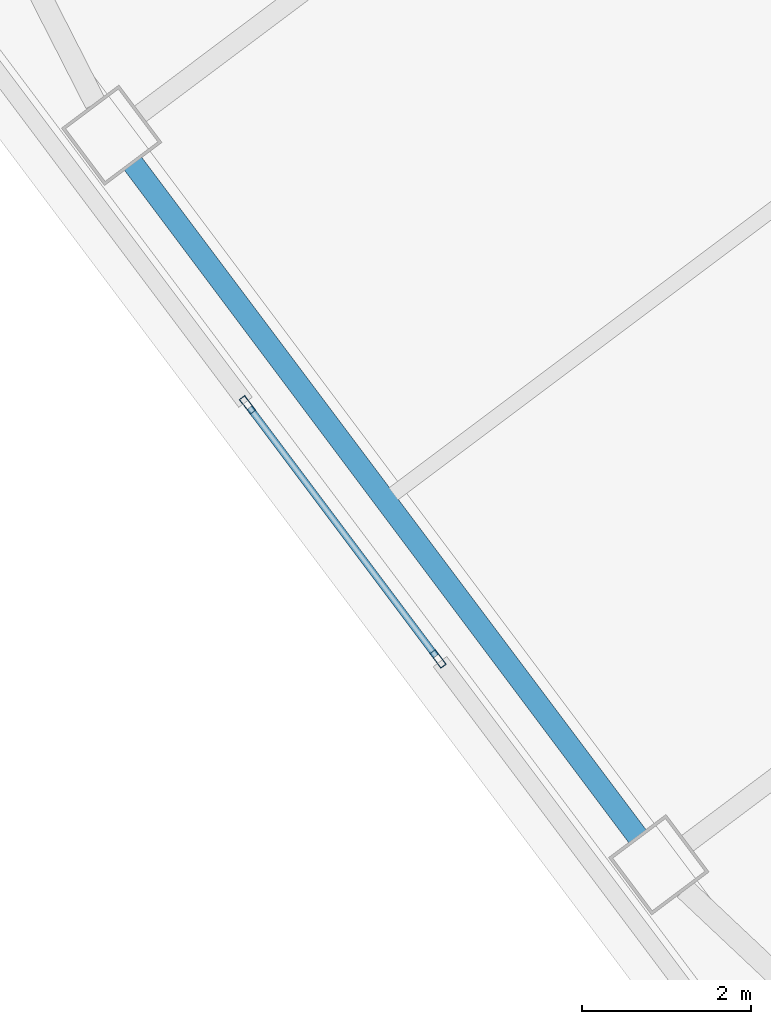
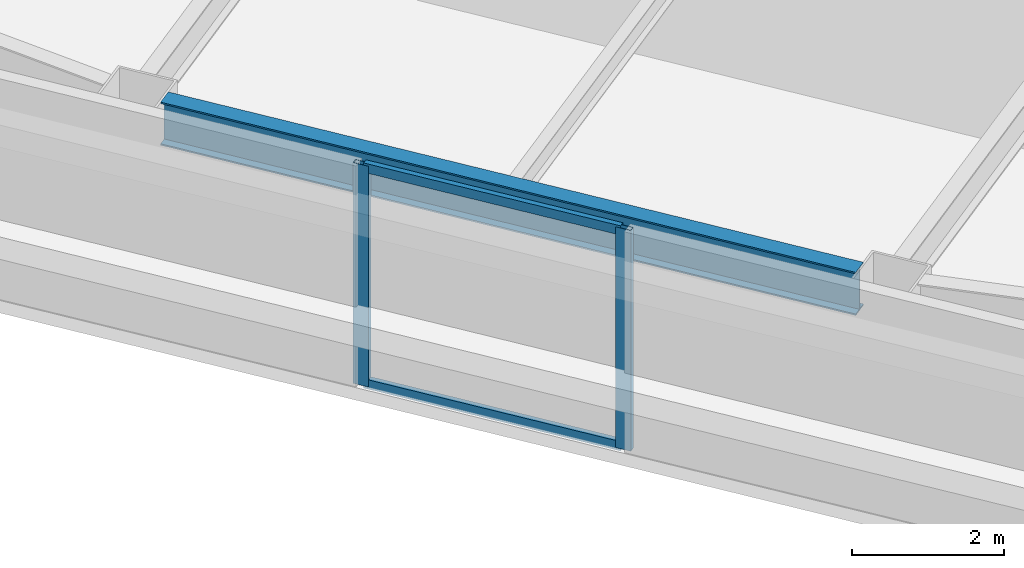
# One storey, part 16 of 44: 4 members, 1 beam, 1 element without a shape of its own.
"""IFC4 building model written with IfcOpenShell, lengths in metres."""

from ifc_helpers import new_model, si_unit, direction, frame, origin, origin_2d, place, context, subcontext, project, spatial, hollow_rectangle, i_section, extrude, material, material_profile, profile_set, type_object, element, aggregate, save


model = new_model("IFC4")

# Units and contexts
model_context = context("Model", 3, precision=1e-05, world=origin(), true_north=direction((0.0, 1.0)))
body_context = subcontext(model_context, "Body", "Model", "MODEL_VIEW")
ifc_project = project(units=[si_unit("LENGTHUNIT", "METRE"), si_unit("AREAUNIT", "SQUARE_METRE"), si_unit("VOLUMEUNIT", "CUBIC_METRE"), si_unit("PLANEANGLEUNIT", "RADIAN"), si_unit("MASSUNIT", "GRAM", prefix="KILO")], contexts=[model_context])

# Site, building, storey
site_placement = place(None, origin())
site = spatial("IfcSite", under=ifc_project, at=site_placement, CompositionType="ELEMENT")
building_placement = place(site_placement, origin())
building = spatial("IfcBuilding", under=site, at=building_placement, Name="Tashvorn Skyway Center", CompositionType="ELEMENT")
storey_placement = place(building_placement, frame((0.0, 0.0, 92.050048828125)))
storey = spatial("IfcBuildingStorey", under=building, at=storey_placement, Name="L24", CompositionType="ELEMENT", Elevation=92.050048828125)

# Beam
ifc_material_1 = material(Name="Steel ASTM A992 Grade 50", Category="steel")
ifc_material_profile_1 = material_profile(ifc_material_1, i_section(OverallWidth=0.256103515625, OverallDepth=0.693115234375, WebThickness=0.014404296875, FlangeThickness=0.023681640625, at=origin_2d()), Name="W27X114")
ifc_profile_set_1 = profile_set([ifc_material_profile_1], Name="Steel ASTM A992 Grade 50")
beam_type = type_object("IfcBeamType", Name="BM-SPANDREL-W27X114", PredefinedType="SPANDREL", material=ifc_profile_set_1)
beam_placement = place(storey_placement, frame((95.612060546875, 24.43408203125, 3.00341796875), z_axis=(0.599988234018, -0.800008824351, 0.0), x_axis=(0.800008824351, 0.599988234018, 0.0)))
element("IfcBeam", 1, at=beam_placement, inside=storey, type_object=beam_type, Name="Tower 2 L24 Spandrel Beam 11", PredefinedType="SPANDREL", context=body_context, shape_type="SweptSolid", body=[
    extrude(i_section(OverallWidth=0.256103515625, OverallDepth=0.693115234375, WebThickness=0.014404296875, FlangeThickness=0.023681640625, at=origin_2d()), origin(), (0.0, 0.0, 1.0), 9.9599609375),
])

# Curtain wall, members
ifc_material_2 = material(Name="Thermally broken bronze-anodized aluminium 6063-T6", Category="aluminium")
curtain_wall_type = type_object("IfcCurtainWallType", Name="CW-CW-Z2", PredefinedType="NOTDEFINED", material=ifc_material_2)
curtain_wall_placement = place(storey_placement, origin())
curtain_wall = element("IfcCurtainWall", 2, at=curtain_wall_placement, inside=storey, type_object=curtain_wall_type, Name="Tower 2 L24 West Unitised Curtain Wall Glazing Group 2", PredefinedType="NOTDEFINED")
ifc_material_profile_2 = material_profile(ifc_material_2, hollow_rectangle(XDim=0.080078125, YDim=0.219970703125, WallThickness=0.0048828125, at=origin_2d()), Name="ALU-MULL-80x220")
ifc_profile_set_2 = profile_set([ifc_material_profile_2], Name="Thermally broken bronze-anodized aluminium 6063-T6")
member_type_1 = type_object("IfcMemberType", Name="CWM-CW-Z2", PredefinedType="MULLION", material=ifc_profile_set_2)
member_1_placement = place(storey_placement, frame((99.22412109375, 18.568115234375, 0.0), z_axis=(0.0, 0.0, 1.0), x_axis=(-0.799999999998, -0.600000000002, 0.0)))
member_1 = element("IfcMember", 3, at=member_1_placement, type_object=member_type_1, Name="CW-Z2 mullion 1", PredefinedType="MULLION", context=body_context, shape_type="SweptSolid", body=[
    extrude(hollow_rectangle(XDim=0.080078125, YDim=0.219970703125, WallThickness=0.0048828125, at=origin_2d()), origin(), (0.0, 0.0, 1.0), 3.550048828125),
])
member_2_placement = place(storey_placement, frame((96.968017578125, 21.575927734375, 0.0), z_axis=(0.0, 0.0, 1.0), x_axis=(-0.799999999998, -0.600000000002, 0.0)))
member_2 = element("IfcMember", 4, at=member_2_placement, type_object=member_type_1, Name="CW-Z2 mullion 2", PredefinedType="MULLION", context=body_context, shape_type="SweptSolid", body=[
    extrude(hollow_rectangle(XDim=0.080078125, YDim=0.219970703125, WallThickness=0.0048828125, at=origin_2d()), origin(), (0.0, 0.0, 1.0), 3.550048828125),
])
ifc_material_profile_3 = material_profile(ifc_material_2, hollow_rectangle(XDim=0.080078125, YDim=0.14990234375, WallThickness=0.00439453125, at=origin_2d()), Name="ALU-TRAN-80x150")
ifc_profile_set_3 = profile_set([ifc_material_profile_3], Name="Thermally broken bronze-anodized aluminium 6063-T6")
member_type_2 = type_object("IfcMemberType", Name="CWT-CW-Z2", PredefinedType="USERDEFINED", material=ifc_profile_set_3)
member_3_placement = place(storey_placement, frame((99.199951171875, 18.60009765625, 0.0400390625), z_axis=(-0.600021230084, 0.799984076997, 0.0), x_axis=(-0.799984076997, -0.600021230084, 0.0)))
member_3 = element("IfcMember", 5, at=member_3_placement, type_object=member_type_2, Name="CW-Z2 transom 1.1", ObjectType="TRANSOM", PredefinedType="USERDEFINED", context=body_context, shape_type="SweptSolid", body=[
    extrude(hollow_rectangle(XDim=0.080078125, YDim=0.14990234375, WallThickness=0.00439453125, at=origin_2d()), origin(), (0.0, 0.0, 1.0), 3.679931640625),
])
member_4_placement = place(storey_placement, frame((99.199951171875, 18.60009765625, 3.510009765625), z_axis=(-0.600021230084, 0.799984076997, 0.0), x_axis=(-0.799984076997, -0.600021230084, 0.0)))
member_4 = element("IfcMember", 6, at=member_4_placement, type_object=member_type_2, Name="CW-Z2 transom 1.2", ObjectType="TRANSOM", PredefinedType="USERDEFINED", context=body_context, shape_type="SweptSolid", body=[
    extrude(hollow_rectangle(XDim=0.080078125, YDim=0.14990234375, WallThickness=0.00439453125, at=origin_2d()), origin(), (0.0, 0.0, 1.0), 3.679931640625),
])
aggregate(curtain_wall, [member_1, member_2, member_3, member_4])

save(model, "model.ifc")
